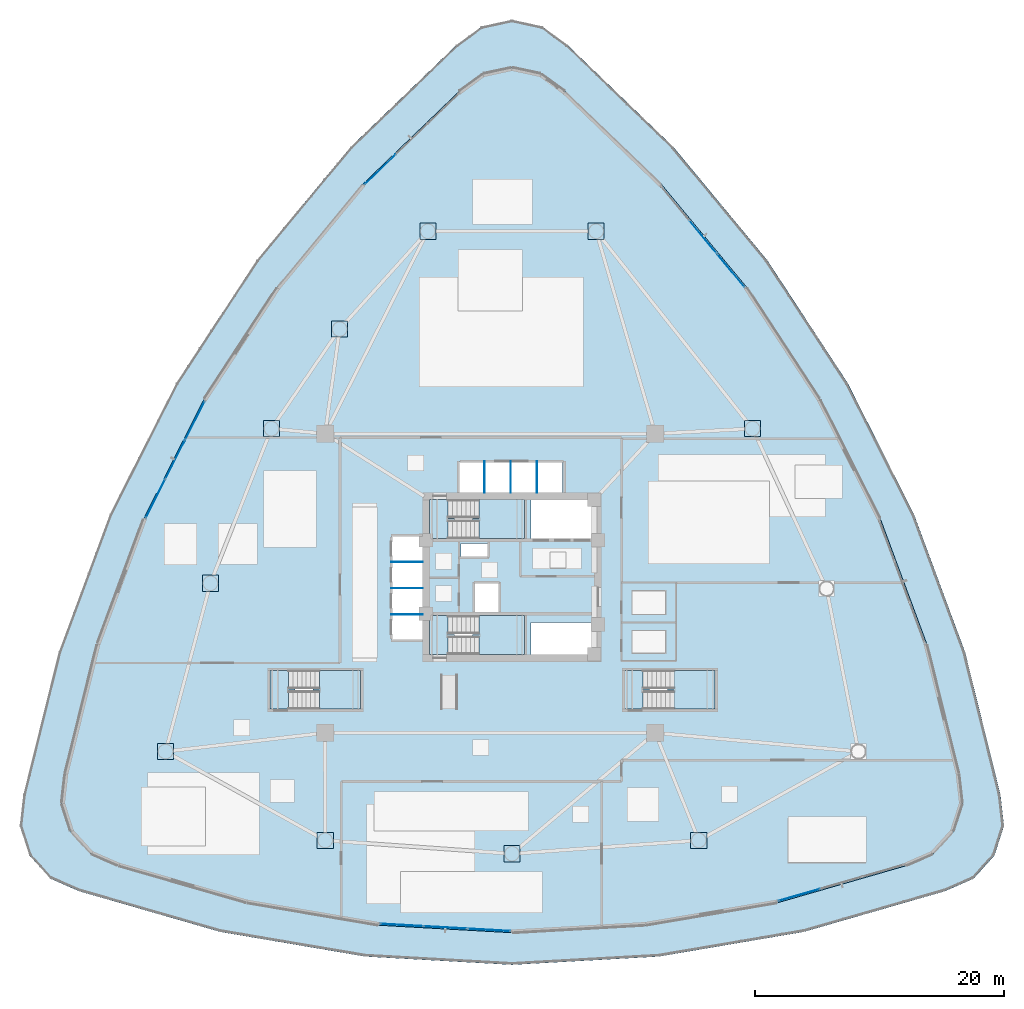
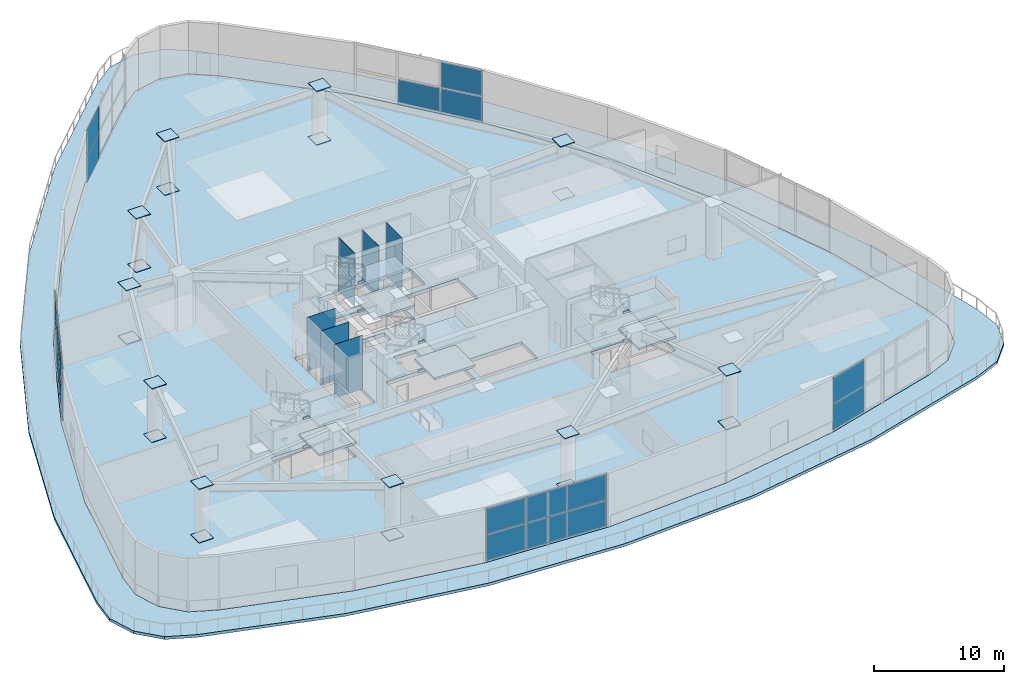
# One storey, part 11 of 25: 45 plates, 14 slabs, 9 elements without a shape of their own.
"""IFC4 building model written with IfcOpenShell, lengths in metres."""

from ifc_helpers import new_model, si_unit, direction, frame, origin, origin_2d, place, context, subcontext, project, spatial, polyline, rectangle, outline, extrude, source, transform, mapped, material, layer, layer_set, type_object, type_shapes, element, aggregate, save


model = new_model("IFC4")

# Units and contexts
model_context = context("Model", 3, precision=1e-05, world=origin(), true_north=direction((0.0, 1.0)))
body_context = subcontext(model_context, "Body", "Model", "MODEL_VIEW")
ifc_project = project(units=[si_unit("LENGTHUNIT", "METRE"), si_unit("AREAUNIT", "SQUARE_METRE"), si_unit("VOLUMEUNIT", "CUBIC_METRE"), si_unit("PLANEANGLEUNIT", "RADIAN"), si_unit("MASSUNIT", "GRAM", prefix="KILO")], contexts=[model_context])

# Site, building, storey
site_placement = place(None, origin())
site = spatial("IfcSite", under=ifc_project, at=site_placement, CompositionType="ELEMENT")
building_placement = place(site_placement, origin())
building = spatial("IfcBuilding", under=site, at=building_placement, Name="Tavelor Broadcast Tower", CompositionType="ELEMENT")
storey_placement = place(building_placement, frame((0.0, 0.0, 11.39990234375)))
storey = spatial("IfcBuildingStorey", under=building, at=storey_placement, Name="L02", CompositionType="ELEMENT", Elevation=11.39990234375)

# Slabs
ifc_material_1 = material(Name="Concrete C40/50", Category="concrete")
ifc_layer_1 = layer(ifc_material_1, 0.260009765625)
ifc_layer_set_1 = layer_set([ifc_layer_1], Name="Concrete C40/50")
slab_type_1 = type_object("IfcSlabType", Name="Cascading Planted Terrace Roof Slab 260 mm", PredefinedType="ROOF", material=ifc_layer_set_1)
slab_1_placement = place(storey_placement, frame((0.0, 0.0, -0.260009765625)))
element("IfcSlab", 1, at=slab_1_placement, inside=storey, type_object=slab_type_1, Name="L02 Cascading Planted Garden Terrace Slab 1", PredefinedType="ROOF", context=body_context, shape_type="SweptSolid", body=[
    extrude(outline(polyline([(54.463134765625, 87.684814453125), (52.448486328125, 89.1728515625), (50.0, 89.699951171875), (47.551513671875, 89.1728515625), (45.536865234375, 87.684814453125), (37.041748046875, 79.50390625), (29.516357421875, 70.423095703125), (23.055908203125, 60.55615234375), (17.7412109375, 50.02783203125), (13.639404296875, 38.97021484375), (10.80224609375, 27.522705078125), (10.52099609375, 25.033935546875), (11.288818359375, 22.64990234375), (12.969482421875, 20.793212890625), (15.265380859375, 19.79248046875), (26.597900390625, 16.525634765625), (38.224853515625, 14.54931640625), (50.0, 13.887451171875), (61.775146484375, 14.54931640625), (73.402099609375, 16.525634765625), (84.734619140625, 19.79248046875), (87.030517578125, 20.793212890625), (88.711181640625, 22.64990234375), (89.47900390625, 25.033935546875), (89.19775390625, 27.522705078125), (86.360595703125, 38.97021484375), (82.2587890625, 50.02783203125), (76.944091796875, 60.55615234375), (70.483642578125, 70.423095703125), (62.958251953125, 79.50390625), (54.463134765625, 87.684814453125)]), holes=[polyline([(54.2626953125, 83.9541015625), (61.9921875, 76.5107421875), (68.839111328125, 68.248291015625), (74.717529296875, 59.270751953125), (79.552978515625, 49.691162109375), (83.285400390625, 39.630126953125), (85.86669921875, 29.214599609375), (86.135498046875, 26.8359375), (85.402587890625, 24.560302734375), (83.79833984375, 22.78759765625), (81.60400390625, 21.831298828125), (71.29296875, 18.859130859375), (60.714111328125, 17.060791015625), (50.0, 16.45849609375), (39.285888671875, 17.060791015625), (28.70703125, 18.859130859375), (18.39599609375, 21.831298828125), (16.20166015625, 22.78759765625), (14.597412109375, 24.560302734375), (13.864501953125, 26.8359375), (14.13330078125, 29.214599609375), (16.714599609375, 39.630126953125), (20.447021484375, 49.691162109375), (25.282470703125, 59.270751953125), (31.160888671875, 68.248291015625), (38.0078125, 76.5107421875), (45.7373046875, 83.9541015625), (47.662841796875, 85.37646484375), (50.0, 85.87939453125), (52.337158203125, 85.37646484375), (54.2626953125, 83.9541015625)])]), origin(), (0.0, 0.0, 1.0), 0.260009765625),
])
ifc_layer_2 = layer(ifc_material_1, 0.35009765625)
ifc_layer_set_2 = layer_set([ifc_layer_2], Name="Concrete C40/50")
slab_type_2 = type_object("IfcSlabType", Name="Podium Structural Floor Slab 350 mm", PredefinedType="FLOOR", material=ifc_layer_set_2)
slab_2_placement = place(storey_placement, frame((0.0, 0.0, -0.349853515625)))
element("IfcSlab", 2, at=slab_2_placement, inside=storey, type_object=slab_type_2, Name="L02 Structural Floor Slab", PredefinedType="FLOOR", context=body_context, shape_type="SweptSolid", body=[
    extrude(outline(polyline([(54.275634765625, 83.969482421875), (52.345703125, 85.39501953125), (50.0, 85.89990234375), (47.654296875, 85.39501953125), (45.724365234375, 83.969482421875), (37.9931640625, 76.5244140625), (31.144775390625, 68.260009765625), (25.26513671875, 59.28076171875), (20.428466796875, 49.69921875), (16.695556640625, 39.635986328125), (14.113525390625, 29.218017578125), (13.843994140625, 26.833984375), (14.57958984375, 24.550048828125), (16.189697265625, 22.77099609375), (18.389404296875, 21.8125), (28.702392578125, 18.839599609375), (39.28369140625, 17.040771484375), (50.0, 16.438720703125), (60.71630859375, 17.040771484375), (71.297607421875, 18.839599609375), (81.610595703125, 21.8125), (83.810302734375, 22.77099609375), (85.42041015625, 24.550048828125), (86.156005859375, 26.833984375), (85.886474609375, 29.218017578125), (83.304443359375, 39.635986328125), (79.571533203125, 49.69921875), (74.73486328125, 59.28076171875), (68.855224609375, 68.260009765625), (62.0068359375, 76.5244140625), (54.275634765625, 83.969482421875)]), holes=[polyline([(37.845947265625, 34.404052734375), (32.053955078125, 34.404052734375), (32.053955078125, 37.49609375), (37.845947265625, 37.49609375), (37.845947265625, 34.404052734375)]), polyline([(66.2958984375, 34.404052734375), (60.50390625, 34.404052734375), (60.50390625, 37.49609375), (66.2958984375, 37.49609375), (66.2958984375, 34.404052734375)]), polyline([(56.60009765625, 38.800048828125), (51.52001953125, 38.800048828125), (51.52001953125, 41.35009765625), (56.60009765625, 41.35009765625), (56.60009765625, 38.800048828125)]), polyline([(44.85400390625, 38.803955078125), (44.85400390625, 41.89599609375), (50.99609375, 41.89599609375), (50.99609375, 38.803955078125), (44.85400390625, 38.803955078125)]), polyline([(47.050048828125, 44.550048828125), (48.949951171875, 44.550048828125), (48.949951171875, 42.199951171875), (47.050048828125, 42.199951171875), (47.050048828125, 44.550048828125)]), polyline([(40.35009765625, 40.0), (40.35009765625, 48.25), (42.800048828125, 48.25), (42.800048828125, 40.0), (40.35009765625, 40.0)]), polyline([(48.050048828125, 46.64990234375), (45.89990234375, 46.64990234375), (45.89990234375, 47.699951171875), (48.050048828125, 47.699951171875), (48.050048828125, 46.64990234375)]), polyline([(50.99609375, 48.10400390625), (44.85400390625, 48.10400390625), (44.85400390625, 51.196044921875), (50.99609375, 51.196044921875), (50.99609375, 48.10400390625)]), polyline([(51.52001953125, 48.10009765625), (51.52001953125, 51.199951171875), (56.60009765625, 51.199951171875), (56.60009765625, 48.10009765625), (51.52001953125, 48.10009765625)]), polyline([(45.800048828125, 51.800048828125), (45.800048828125, 54.25), (54.050048828125, 54.25), (54.050048828125, 51.800048828125), (45.800048828125, 51.800048828125)])]), origin(), (0.0, 0.0, 1.0), 0.349853515625),
])

# Stair, slabs
stair_type = type_object("IfcStairType", Name="Reinforced Concrete Protected Dogleg Stair 1450 mm", PredefinedType="HALF_TURN_STAIR", material=ifc_material_1)
stair_1_placement = place(storey_placement, origin())
stair_1 = element("IfcStair", 3, at=stair_1_placement, inside=storey, type_object=stair_type, Name="L02 Protected Core Exit Stair ST1", PredefinedType="HALF_TURN_STAIR")
ifc_layer_3 = layer(ifc_material_1, 0.199951171875)
ifc_layer_set_3 = layer_set([ifc_layer_3], Name="Concrete C40/50")
slab_type_3 = type_object("IfcSlabType", Name="Reinforced Concrete Stair Half-Landing Slab 200 mm", PredefinedType="LANDING", material=ifc_layer_set_3)
slab_3_placement = place(storey_placement, frame((0.0, 0.0, 1.150146484375)))
slab_3 = element("IfcSlab", 4, at=slab_3_placement, type_object=slab_type_3, Name="ST1 landing 1", PredefinedType="LANDING", context=body_context, shape_type="SweptSolid", body=[
    extrude(outline(polyline([(47.364990234375, 49.590087890625), (47.364990234375, 48.094970703125), (51.0048828125, 48.094970703125), (51.0048828125, 51.205078125), (47.364990234375, 51.205078125), (47.364990234375, 49.7099609375), (46.824951171875, 49.7099609375), (46.824951171875, 49.590087890625), (47.364990234375, 49.590087890625)])), origin(), (0.0, 0.0, 1.0), 0.199951171875),
])
slab_4_placement = place(storey_placement, frame((0.0, 0.0, 2.5)))
slab_4 = element("IfcSlab", 5, at=slab_4_placement, type_object=slab_type_3, Name="ST1 landing 2", PredefinedType="LANDING", context=body_context, shape_type="SweptSolid", body=[
    extrude(outline(polyline([(43.39501953125, 48.094970703125), (44.85498046875, 48.094970703125), (44.85498046875, 49.590087890625), (45.39501953125, 49.590087890625), (45.39501953125, 49.7099609375), (44.85498046875, 49.7099609375), (44.85498046875, 51.205078125), (43.39501953125, 51.205078125), (43.39501953125, 48.094970703125)])), origin(), (0.0, 0.0, 1.0), 0.2001953125),
])
slab_5_placement = place(storey_placement, frame((0.0, 0.0, 3.85009765625)))
slab_5 = element("IfcSlab", 6, at=slab_5_placement, type_object=slab_type_3, Name="ST1 landing 3", PredefinedType="LANDING", context=body_context, shape_type="SweptSolid", body=[
    extrude(outline(polyline([(47.364990234375, 49.590087890625), (47.364990234375, 48.094970703125), (51.0048828125, 48.094970703125), (51.0048828125, 51.205078125), (47.364990234375, 51.205078125), (47.364990234375, 49.7099609375), (46.824951171875, 49.7099609375), (46.824951171875, 49.590087890625), (47.364990234375, 49.590087890625)])), origin(), (0.0, 0.0, 1.0), 0.199951171875),
])
aggregate(stair_1, [slab_3, slab_4, slab_5])

stair_2_placement = place(storey_placement, origin())
stair_2 = element("IfcStair", 7, at=stair_2_placement, inside=storey, type_object=stair_type, Name="L02 Protected Core Exit Stair ST2", PredefinedType="HALF_TURN_STAIR")
slab_6_placement = place(storey_placement, frame((0.0, 0.0, 1.150146484375)))
slab_6 = element("IfcSlab", 8, at=slab_6_placement, type_object=slab_type_3, Name="ST2 landing 1", PredefinedType="LANDING", context=body_context, shape_type="SweptSolid", body=[
    extrude(outline(polyline([(47.364990234375, 40.2900390625), (47.364990234375, 38.794921875), (51.0048828125, 38.794921875), (51.0048828125, 41.905029296875), (47.364990234375, 41.905029296875), (47.364990234375, 40.409912109375), (46.824951171875, 40.409912109375), (46.824951171875, 40.2900390625), (47.364990234375, 40.2900390625)])), origin(), (0.0, 0.0, 1.0), 0.199951171875),
])
slab_7_placement = place(storey_placement, frame((0.0, 0.0, 2.5)))
slab_7 = element("IfcSlab", 9, at=slab_7_placement, type_object=slab_type_3, Name="ST2 landing 2", PredefinedType="LANDING", context=body_context, shape_type="SweptSolid", body=[
    extrude(outline(polyline([(43.39501953125, 38.794921875), (44.85498046875, 38.794921875), (44.85498046875, 40.2900390625), (45.39501953125, 40.2900390625), (45.39501953125, 40.409912109375), (44.85498046875, 40.409912109375), (44.85498046875, 41.905029296875), (43.39501953125, 41.905029296875), (43.39501953125, 38.794921875)])), origin(), (0.0, 0.0, 1.0), 0.2001953125),
])
slab_8_placement = place(storey_placement, frame((0.0, 0.0, 3.85009765625)))
slab_8 = element("IfcSlab", 10, at=slab_8_placement, type_object=slab_type_3, Name="ST2 landing 3", PredefinedType="LANDING", context=body_context, shape_type="SweptSolid", body=[
    extrude(outline(polyline([(47.364990234375, 40.2900390625), (47.364990234375, 38.794921875), (51.0048828125, 38.794921875), (51.0048828125, 41.905029296875), (47.364990234375, 41.905029296875), (47.364990234375, 40.409912109375), (46.824951171875, 40.409912109375), (46.824951171875, 40.2900390625), (47.364990234375, 40.2900390625)])), origin(), (0.0, 0.0, 1.0), 0.199951171875),
])
aggregate(stair_2, [slab_6, slab_7, slab_8])

stair_3_placement = place(storey_placement, origin())
stair_3 = element("IfcStair", 11, at=stair_3_placement, inside=storey, type_object=stair_type, Name="L02 Podium West Exit Stair ST3", PredefinedType="HALF_TURN_STAIR")
slab_9_placement = place(storey_placement, frame((0.0, 0.0, 1.150146484375)))
slab_9 = element("IfcSlab", 12, at=slab_9_placement, type_object=slab_type_3, Name="ST3 landing 1", PredefinedType="LANDING", context=body_context, shape_type="SweptSolid", body=[
    extrude(outline(polyline([(34.56494140625, 35.889892578125), (34.56494140625, 34.39501953125), (37.85498046875, 34.39501953125), (37.85498046875, 37.5048828125), (34.56494140625, 37.5048828125), (34.56494140625, 36.010009765625), (34.02490234375, 36.010009765625), (34.02490234375, 35.889892578125), (34.56494140625, 35.889892578125)])), origin(), (0.0, 0.0, 1.0), 0.199951171875),
])
slab_10_placement = place(storey_placement, frame((0.0, 0.0, 2.5)))
slab_10 = element("IfcSlab", 13, at=slab_10_placement, type_object=slab_type_3, Name="ST3 landing 2", PredefinedType="LANDING", context=body_context, shape_type="SweptSolid", body=[
    extrude(outline(polyline([(30.594970703125, 34.39501953125), (32.054931640625, 34.39501953125), (32.054931640625, 35.889892578125), (32.594970703125, 35.889892578125), (32.594970703125, 36.010009765625), (32.054931640625, 36.010009765625), (32.054931640625, 37.5048828125), (30.594970703125, 37.5048828125), (30.594970703125, 34.39501953125)])), origin(), (0.0, 0.0, 1.0), 0.2001953125),
])
slab_11_placement = place(storey_placement, frame((0.0, 0.0, 3.85009765625)))
slab_11 = element("IfcSlab", 14, at=slab_11_placement, type_object=slab_type_3, Name="ST3 landing 3", PredefinedType="LANDING", context=body_context, shape_type="SweptSolid", body=[
    extrude(outline(polyline([(34.56494140625, 35.889892578125), (34.56494140625, 34.39501953125), (37.85498046875, 34.39501953125), (37.85498046875, 37.5048828125), (34.56494140625, 37.5048828125), (34.56494140625, 36.010009765625), (34.02490234375, 36.010009765625), (34.02490234375, 35.889892578125), (34.56494140625, 35.889892578125)])), origin(), (0.0, 0.0, 1.0), 0.199951171875),
])
aggregate(stair_3, [slab_9, slab_10, slab_11])

stair_4_placement = place(storey_placement, origin())
stair_4 = element("IfcStair", 15, at=stair_4_placement, inside=storey, type_object=stair_type, Name="L02 Podium East Exit Stair ST4", PredefinedType="HALF_TURN_STAIR")
slab_12_placement = place(storey_placement, frame((0.0, 0.0, 1.150146484375)))
slab_12 = element("IfcSlab", 16, at=slab_12_placement, type_object=slab_type_3, Name="ST4 landing 1", PredefinedType="LANDING", context=body_context, shape_type="SweptSolid", body=[
    extrude(outline(polyline([(63.014892578125, 35.889892578125), (63.014892578125, 34.39501953125), (66.304931640625, 34.39501953125), (66.304931640625, 37.5048828125), (63.014892578125, 37.5048828125), (63.014892578125, 36.010009765625), (62.47509765625, 36.010009765625), (62.47509765625, 35.889892578125), (63.014892578125, 35.889892578125)])), origin(), (0.0, 0.0, 1.0), 0.199951171875),
])
slab_13_placement = place(storey_placement, frame((0.0, 0.0, 2.5)))
slab_13 = element("IfcSlab", 17, at=slab_13_placement, type_object=slab_type_3, Name="ST4 landing 2", PredefinedType="LANDING", context=body_context, shape_type="SweptSolid", body=[
    extrude(outline(polyline([(59.044921875, 34.39501953125), (60.5048828125, 34.39501953125), (60.5048828125, 35.889892578125), (61.044921875, 35.889892578125), (61.044921875, 36.010009765625), (60.5048828125, 36.010009765625), (60.5048828125, 37.5048828125), (59.044921875, 37.5048828125), (59.044921875, 34.39501953125)])), origin(), (0.0, 0.0, 1.0), 0.2001953125),
])
slab_14_placement = place(storey_placement, frame((0.0, 0.0, 3.85009765625)))
slab_14 = element("IfcSlab", 18, at=slab_14_placement, type_object=slab_type_3, Name="ST4 landing 3", PredefinedType="LANDING", context=body_context, shape_type="SweptSolid", body=[
    extrude(outline(polyline([(63.014892578125, 35.889892578125), (63.014892578125, 34.39501953125), (66.304931640625, 34.39501953125), (66.304931640625, 37.5048828125), (63.014892578125, 37.5048828125), (63.014892578125, 36.010009765625), (62.47509765625, 36.010009765625), (62.47509765625, 35.889892578125), (63.014892578125, 35.889892578125)])), origin(), (0.0, 0.0, 1.0), 0.199951171875),
])
aggregate(stair_4, [slab_12, slab_13, slab_14])

# Plates
ifc_material_2 = material(Name="Steel S460", Category="steel")
ifc_layer_4 = layer(ifc_material_2, 0.050048828125)
ifc_layer_set_4 = layer_set([ifc_layer_4], Name="Steel S460")
plate_type_1 = type_object("IfcPlateType", Name="Tube Hollow-End Cap Plate KN05 700x700x50", PredefinedType="USERDEFINED", material=ifc_layer_set_4)
shared_shape_1 = source(origin(), body_context, "Body", "SweptSolid", [
    extrude(rectangle(XDim=1.299072265625, YDim=1.299072265625, at=origin_2d()), origin(), (0.0, 0.0, 1.0), 0.054931640625),
])
type_shapes(plate_type_1, [shared_shape_1])
for number, where, z_axis, x_axis, name in (
    (19, (43.247314453125, 72.7509765625, -0.02734375), (0.0, 0.0, 1.0), (1.0, 0.0, 0.0), "L02 Hollow End Cap Plate KN05 #117"),
    (20, (43.247314453125, 72.7509765625, 5.0224609375), (0.0, 0.0, 1.0), (1.0, 0.0, 0.0), "L02 Hollow End Cap Plate KN05 #118"),
    (21, (36.170166015625, 64.893310546875, -0.02734375), (0.0, 0.0, 1.0), (1.0, 0.0, 0.0), "L02 Hollow End Cap Plate KN05 #119"),
    (22, (36.170166015625, 64.893310546875, 5.0224609375), (0.0, 0.0, 1.0), (1.0, 0.0, 0.0), "L02 Hollow End Cap Plate KN05 #120"),
    (23, (30.69921875, 56.9111328125, -0.02734375), (0.0, 0.0, 1.0), (1.0, 0.0, 0.0), "L02 Hollow End Cap Plate KN05 #121"),
    (24, (30.69921875, 56.9111328125, 5.0224609375), (0.0, 0.0, 1.0), (1.0, 0.0, 0.0), "L02 Hollow End Cap Plate KN05 #122"),
    (25, (25.800048828125, 44.5, -0.02734375), (0.0, 0.0, 1.0), (1.0, 0.0, 0.0), "L02 Hollow End Cap Plate KN05 #123"),
    (26, (25.800048828125, 44.5, 5.0224609375), (0.0, 0.0, 1.0), (1.0, 0.0, 0.0), "L02 Hollow End Cap Plate KN05 #124"),
    (27, (22.199951171875, 31.0, -0.02734375), (0.0, 0.0, 1.0), (1.0, 0.0, 0.0), "L02 Hollow End Cap Plate KN05 #125"),
    (28, (22.199951171875, 31.0, 5.0224609375), (0.0, 0.0, 1.0), (1.0, 0.0, 0.0), "L02 Hollow End Cap Plate KN05 #126"),
    (29, (35.01220703125, 23.87109375, -0.02734375), (0.0, 0.0, 1.0), (1.0, 0.0, 0.0), "L02 Hollow End Cap Plate KN05 #127"),
    (30, (35.01220703125, 23.87109375, 5.0224609375), (0.0, 0.0, 1.0), (1.0, 0.0, 0.0), "L02 Hollow End Cap Plate KN05 #128"),
    (31, (50.0, 22.800048828125, -0.02734375), (0.0, 0.0, 1.0), (1.0, 0.0, 0.0), "L02 Hollow End Cap Plate KN05 #129"),
    (32, (50.0, 22.800048828125, 5.0224609375), (0.0, 0.0, 1.0), (1.0, 0.0, 0.0), "L02 Hollow End Cap Plate KN05 #130"),
    (33, (64.98779296875, 23.87109375, -0.02734375), (0.0, 0.0, 1.0), (1.0, 0.0, 0.0), "L02 Hollow End Cap Plate KN05 #131"),
    (34, (64.98779296875, 23.87109375, 5.0224609375), (0.0, 0.0, 1.0), (1.0, 0.0, 0.0), "L02 Hollow End Cap Plate KN05 #132"),
    (35, (69.30078125, 56.9111328125, -0.02734375), (0.0, 0.0, 1.0), (1.0, 0.0, 0.0), "L02 Hollow End Cap Plate KN05 #137"),
    (36, (69.30078125, 56.9111328125, 5.0224609375), (0.0, 0.0, 1.0), (1.0, 0.0, 0.0), "L02 Hollow End Cap Plate KN05 #138"),
    (37, (56.752685546875, 72.7509765625, -0.02734375), (0.0, 0.0, 1.0), (1.0, 0.0, 0.0), "L02 Hollow End Cap Plate KN05 #139"),
    (38, (56.752685546875, 72.7509765625, 5.0224609375), (0.0, 0.0, 1.0), (1.0, 0.0, 0.0), "L02 Hollow End Cap Plate KN05 #140"),
):
    element("IfcPlate", number, at=place(storey_placement, frame(where, z_axis=z_axis, x_axis=x_axis)), inside=storey, type_object=plate_type_1, Name=name, ObjectType="CAP PLATE", PredefinedType="USERDEFINED", context=body_context, shape_type="MappedRepresentation", body=[
        mapped(shared_shape_1, transform((0.0, 0.0, 0.0), scale=1.0)),
    ])
ifc_material_3 = material(Name="Steel S355", Category="steel")
ifc_layer_5 = layer(ifc_material_3, 0.011962890625)
ifc_layer_set_5 = layer_set([ifc_layer_5], Name="Steel S355")
plate_type_2 = type_object("IfcPlateType", Name="Hoistway Steel Separator Screen 12 mm", PredefinedType="SHEET", material=ifc_layer_set_5)
shared_shape_2 = source(origin(), body_context, "Body", "SweptSolid", [
    extrude(rectangle(XDim=2.52001953125, YDim=0.02001953125, at=origin_2d()), origin(), (0.0, 0.0, 1.0), 5.050048828125),
])
for number, where, z_axis, x_axis, name in (
    (39, (41.56005859375, 42.0, 0.0), (0.0, 0.0, 1.0), (1.0, 0.0, 0.0), "L02 Low-Rise Hoistway Separator Screen 1"),
    (40, (41.56005859375, 44.10009765625, 0.0), (0.0, 0.0, 1.0), (1.0, 0.0, 0.0), "L02 Low-Rise Hoistway Separator Screen 2"),
    (41, (41.56005859375, 46.199951171875, 0.0), (0.0, 0.0, 1.0), (1.0, 0.0, 0.0), "L02 Low-Rise Hoistway Separator Screen 3"),
):
    element("IfcPlate", number, at=place(storey_placement, frame(where, z_axis=z_axis, x_axis=x_axis)), inside=storey, type_object=plate_type_2, Name=name, PredefinedType="SHEET", context=body_context, shape_type="MappedRepresentation", body=[
        mapped(shared_shape_2, transform((0.0, 0.0, 0.0), scale=1.0)),
    ])
shared_shape_3 = source(origin(), body_context, "Body", "SweptSolid", [
    extrude(rectangle(XDim=0.02001953125, YDim=2.52001953125, at=origin_2d()), origin(), (0.0, 0.0, 1.0), 5.050048828125),
])
type_shapes(plate_type_2, [shared_shape_2, shared_shape_3])
for number, where, z_axis, x_axis, name in (
    (42, (47.800048828125, 53.0400390625, 0.0), (0.0, 0.0, 1.0), (1.0, 0.0, 0.0), "L02 High-Rise Hoistway Separator Screen 1"),
    (43, (49.89990234375, 53.0400390625, 0.0), (0.0, 0.0, 1.0), (1.0, 0.0, 0.0), "L02 High-Rise Hoistway Separator Screen 2"),
    (44, (52.0, 53.0400390625, 0.0), (0.0, 0.0, 1.0), (1.0, 0.0, 0.0), "L02 High-Rise Hoistway Separator Screen 3"),
):
    element("IfcPlate", number, at=place(storey_placement, frame(where, z_axis=z_axis, x_axis=x_axis)), inside=storey, type_object=plate_type_2, Name=name, PredefinedType="SHEET", context=body_context, shape_type="MappedRepresentation", body=[
        mapped(shared_shape_3, transform((0.0, 0.0, 0.0), scale=1.0)),
    ])

# Curtain wall, plates
ifc_material_4 = material(Name="Architectural Anodized Aluminium", Category="aluminium")
ifc_layer_6 = layer(ifc_material_4, 0.219970703125)
ifc_layer_set_6 = layer_set([ifc_layer_6], Name="Architectural Anodized Aluminium")
curtain_wall_type = type_object("IfcCurtainWallType", Name="Podium Double-Height Broadcast Curtain Wall CW01", PredefinedType="NOTDEFINED", material=ifc_layer_set_6)
curtain_wall_1_placement = place(storey_placement, origin())
curtain_wall_1 = element("IfcCurtainWall", 45, at=curtain_wall_1_placement, inside=storey, type_object=curtain_wall_type, Name="L02 Curtain Wall CW01 Run 7", PredefinedType="NOTDEFINED")
ifc_material_5 = material(Name="Solar Low-E Laminated Glazing 32 mm", Category="glass")
ifc_layer_7 = layer(ifc_material_5, 0.031982421875)
ifc_layer_set_7 = layer_set([ifc_layer_7], Name="Solar Low-E Laminated Glazing 32 mm")
plate_type_3 = type_object("IfcPlateType", Name="CW01 Insulated Vision Glazing Panel 32 mm", PredefinedType="CURTAIN_PANEL", material=ifc_layer_set_7)
shared_shape_4 = source(origin(), body_context, "Body", "SweptSolid", [
    extrude(rectangle(XDim=3.40625, YDim=0.031982421875, at=origin_2d()), origin(), (0.0, 0.0, 1.0), 2.41259765625),
])
plate_1_placement = place(storey_placement, frame((39.434326171875, 77.7177734375, 0.074951171875), z_axis=(0.0, 0.0, 1.0), x_axis=(-0.72030987048, -0.693652427725, 0.0)))
plate_1 = element("IfcPlate", 46, at=plate_1_placement, type_object=plate_type_3, Name="CW01 panel 3.1", PredefinedType="CURTAIN_PANEL", context=body_context, shape_type="MappedRepresentation", body=[
    mapped(shared_shape_4, transform((0.0, 0.0, 0.0), scale=1.0)),
])
plate_2_placement = place(storey_placement, frame((39.434326171875, 77.7177734375, 2.5625), z_axis=(0.0, 0.0, 1.0), x_axis=(-0.72030987048, -0.693652427725, 0.0)))
plate_2 = element("IfcPlate", 47, at=plate_2_placement, type_object=plate_type_3, Name="CW01 panel 3.2", PredefinedType="CURTAIN_PANEL", context=body_context, shape_type="MappedRepresentation", body=[
    mapped(shared_shape_4, transform((0.0, 0.0, 0.0), scale=1.0)),
])
aggregate(curtain_wall_1, [plate_1, plate_2])

curtain_wall_2_placement = place(storey_placement, origin())
curtain_wall_2 = element("IfcCurtainWall", 48, at=curtain_wall_2_placement, inside=storey, type_object=curtain_wall_type, Name="L02 Curtain Wall CW01 Run 10", PredefinedType="NOTDEFINED")
plate_3_placement = place(storey_placement, frame((73.0517578125, 19.490966796875, 0.074951171875), z_axis=(0.0, 0.0, 1.0), x_axis=(0.960876405669, 0.276977495528, 0.0)))
plate_3 = element("IfcPlate", 49, at=plate_3_placement, type_object=plate_type_3, Name="CW01 panel 1.1", PredefinedType="CURTAIN_PANEL", context=body_context, shape_type="MappedRepresentation", body=[
    mapped(shared_shape_4, transform((0.0, 0.0, 0.0), scale=1.0)),
])
plate_4_placement = place(storey_placement, frame((73.0517578125, 19.490966796875, 2.5625), z_axis=(0.0, 0.0, 1.0), x_axis=(0.960876405669, 0.276977495528, 0.0)))
plate_4 = element("IfcPlate", 50, at=plate_4_placement, type_object=plate_type_3, Name="CW01 panel 1.2", PredefinedType="CURTAIN_PANEL", context=body_context, shape_type="MappedRepresentation", body=[
    mapped(shared_shape_4, transform((0.0, 0.0, 0.0), scale=1.0)),
])
aggregate(curtain_wall_2, [plate_3, plate_4])

curtain_wall_3_placement = place(storey_placement, origin())
curtain_wall_3 = element("IfcCurtainWall", 51, at=curtain_wall_3_placement, inside=storey, type_object=curtain_wall_type, Name="L02 Curtain Wall CW01 Run 8", PredefinedType="NOTDEFINED")
shared_shape_5 = source(origin(), body_context, "Body", "SweptSolid", [
    extrude(rectangle(XDim=3.40673828125, YDim=0.031982421875, at=origin_2d()), origin(), (0.0, 0.0, 1.0), 2.41259765625),
])
plate_5_placement = place(storey_placement, frame((24.549072265625, 57.5517578125, 0.074951171875), z_axis=(0.0, 0.0, 1.0), x_axis=(-0.450624070819, -0.892713810131, 0.0)))
plate_5 = element("IfcPlate", 52, at=plate_5_placement, type_object=plate_type_3, Name="CW01 panel 1.1", PredefinedType="CURTAIN_PANEL", context=body_context, shape_type="MappedRepresentation", body=[
    mapped(shared_shape_5, transform((0.0, 0.0, 0.0), scale=1.0)),
])
plate_6_placement = place(storey_placement, frame((24.549072265625, 57.5517578125, 2.5625), z_axis=(0.0, 0.0, 1.0), x_axis=(-0.450624070819, -0.892713810131, 0.0)))
plate_6 = element("IfcPlate", 53, at=plate_6_placement, type_object=plate_type_3, Name="CW01 panel 1.2", PredefinedType="CURTAIN_PANEL", context=body_context, shape_type="MappedRepresentation", body=[
    mapped(shared_shape_5, transform((0.0, 0.0, 0.0), scale=1.0)),
])
plate_7_placement = place(storey_placement, frame((21.39453125, 51.302001953125, 0.074951171875), z_axis=(0.0, 0.0, 1.0), x_axis=(-0.450624070819, -0.892713810131, 0.0)))
plate_7 = element("IfcPlate", 54, at=plate_7_placement, type_object=plate_type_3, Name="CW01 panel 3.1", PredefinedType="CURTAIN_PANEL", context=body_context, shape_type="MappedRepresentation", body=[
    mapped(shared_shape_5, transform((0.0, 0.0, 0.0), scale=1.0)),
])
plate_8_placement = place(storey_placement, frame((21.39453125, 51.302001953125, 2.5625), z_axis=(0.0, 0.0, 1.0), x_axis=(-0.450624070819, -0.892713810131, 0.0)))
plate_8 = element("IfcPlate", 55, at=plate_8_placement, type_object=plate_type_3, Name="CW01 panel 3.2", PredefinedType="CURTAIN_PANEL", context=body_context, shape_type="MappedRepresentation", body=[
    mapped(shared_shape_5, transform((0.0, 0.0, 0.0), scale=1.0)),
])

curtain_wall_4_placement = place(storey_placement, origin())
curtain_wall_4 = element("IfcCurtainWall", 56, at=curtain_wall_4_placement, inside=storey, type_object=curtain_wall_type, Name="L02 Curtain Wall CW01 Run 12", PredefinedType="NOTDEFINED")
plate_9_placement = place(storey_placement, frame((67.556640625, 69.607666015625, 0.074951171875), z_axis=(0.0, 0.0, 1.0), x_axis=(-0.638065200833, 0.769982337126, 0.0)))
plate_9 = element("IfcPlate", 57, at=plate_9_placement, type_object=plate_type_3, Name="CW01 panel 1.1", PredefinedType="CURTAIN_PANEL", context=body_context, shape_type="MappedRepresentation", body=[
    mapped(shared_shape_5, transform((0.0, 0.0, 0.0), scale=1.0)),
])
plate_10_placement = place(storey_placement, frame((67.556640625, 69.607666015625, 2.5625), z_axis=(0.0, 0.0, 1.0), x_axis=(-0.638065200833, 0.769982337126, 0.0)))
plate_10 = element("IfcPlate", 58, at=plate_10_placement, type_object=plate_type_3, Name="CW01 panel 1.2", PredefinedType="CURTAIN_PANEL", context=body_context, shape_type="MappedRepresentation", body=[
    mapped(shared_shape_5, transform((0.0, 0.0, 0.0), scale=1.0)),
])

# Plate
shared_shape_6 = source(origin(), body_context, "Body", "SweptSolid", [
    extrude(rectangle(XDim=3.444091796875, YDim=0.031982421875, at=origin_2d()), origin(), (0.0, 0.0, 1.0), 2.41259765625),
])
plate_11_placement = place(storey_placement, frame((22.9716796875, 54.4267578125, 0.074951171875), z_axis=(0.0, 0.0, 1.0), x_axis=(-0.450624070819, -0.892713810131, 0.0)))
plate_11 = element("IfcPlate", 59, at=plate_11_placement, type_object=plate_type_3, Name="CW01 panel 2.1", PredefinedType="CURTAIN_PANEL", context=body_context, shape_type="MappedRepresentation", body=[
    mapped(shared_shape_6, transform((0.0, 0.0, 0.0), scale=1.0)),
])

plate_12_placement = place(storey_placement, frame((22.9716796875, 54.4267578125, 2.5625), z_axis=(0.0, 0.0, 1.0), x_axis=(-0.450624070819, -0.892713810131, 0.0)))
plate_12 = element("IfcPlate", 60, at=plate_12_placement, type_object=plate_type_3, Name="CW01 panel 2.2", PredefinedType="CURTAIN_PANEL", context=body_context, shape_type="MappedRepresentation", body=[
    mapped(shared_shape_6, transform((0.0, 0.0, 0.0), scale=1.0)),
])

aggregate(curtain_wall_3, [plate_5, plate_6, plate_11, plate_12, plate_7, plate_8])

# Curtain wall, plates
curtain_wall_5_placement = place(storey_placement, origin())
curtain_wall_5 = element("IfcCurtainWall", 61, at=curtain_wall_5_placement, inside=storey, type_object=curtain_wall_type, Name="L02 Curtain Wall CW01 Run 9", PredefinedType="NOTDEFINED")
plate_13_placement = place(storey_placement, frame((44.649658203125, 16.87939453125, 0.074951171875), z_axis=(0.0, 0.0, 1.0), x_axis=(0.998424974525, -0.056103210648, 0.0)))
plate_13 = element("IfcPlate", 62, at=plate_13_placement, type_object=plate_type_3, Name="CW01 panel 2.1", PredefinedType="CURTAIN_PANEL", context=body_context, shape_type="MappedRepresentation", body=[
    mapped(shared_shape_6, transform((0.0, 0.0, 0.0), scale=1.0)),
])
plate_14_placement = place(storey_placement, frame((44.649658203125, 16.87939453125, 2.5625), z_axis=(0.0, 0.0, 1.0), x_axis=(0.998424974525, -0.056103210648, 0.0)))
plate_14 = element("IfcPlate", 63, at=plate_14_placement, type_object=plate_type_3, Name="CW01 panel 2.2", PredefinedType="CURTAIN_PANEL", context=body_context, shape_type="MappedRepresentation", body=[
    mapped(shared_shape_6, transform((0.0, 0.0, 0.0), scale=1.0)),
])

# Plate
plate_15_placement = place(storey_placement, frame((65.3232421875, 72.302978515625, 0.074951171875), z_axis=(0.0, 0.0, 1.0), x_axis=(-0.638065200833, 0.769982337126, 0.0)))
plate_15 = element("IfcPlate", 64, at=plate_15_placement, type_object=plate_type_3, Name="CW01 panel 2.1", PredefinedType="CURTAIN_PANEL", context=body_context, shape_type="MappedRepresentation", body=[
    mapped(shared_shape_6, transform((0.0, 0.0, 0.0), scale=1.0)),
])

aggregate(curtain_wall_4, [plate_9, plate_10, plate_15])

shared_shape_7 = source(origin(), body_context, "Body", "SweptSolid", [
    extrude(rectangle(XDim=3.406494140625, YDim=0.031982421875, at=origin_2d()), origin(), (0.0, 0.0, 1.0), 2.41259765625),
])
type_shapes(plate_type_3, [shared_shape_4, shared_shape_5, shared_shape_6, shared_shape_7])
plate_16_placement = place(storey_placement, frame((41.15478515625, 17.075927734375, 0.074951171875), z_axis=(0.0, 0.0, 1.0), x_axis=(0.998424974525, -0.056103210648, 0.0)))
plate_16 = element("IfcPlate", 65, at=plate_16_placement, type_object=plate_type_3, Name="CW01 panel 1.1", PredefinedType="CURTAIN_PANEL", context=body_context, shape_type="MappedRepresentation", body=[
    mapped(shared_shape_7, transform((0.0, 0.0, 0.0), scale=1.0)),
])

plate_17_placement = place(storey_placement, frame((41.15478515625, 17.075927734375, 2.5625), z_axis=(0.0, 0.0, 1.0), x_axis=(0.998424974525, -0.056103210648, 0.0)))
plate_17 = element("IfcPlate", 66, at=plate_17_placement, type_object=plate_type_3, Name="CW01 panel 1.2", PredefinedType="CURTAIN_PANEL", context=body_context, shape_type="MappedRepresentation", body=[
    mapped(shared_shape_7, transform((0.0, 0.0, 0.0), scale=1.0)),
])

plate_18_placement = place(storey_placement, frame((48.14453125, 16.68310546875, 0.074951171875), z_axis=(0.0, 0.0, 1.0), x_axis=(0.998424974525, -0.056103210648, 0.0)))
plate_18 = element("IfcPlate", 67, at=plate_18_placement, type_object=plate_type_3, Name="CW01 panel 3.1", PredefinedType="CURTAIN_PANEL", context=body_context, shape_type="MappedRepresentation", body=[
    mapped(shared_shape_7, transform((0.0, 0.0, 0.0), scale=1.0)),
])

plate_19_placement = place(storey_placement, frame((48.14453125, 16.68310546875, 2.5625), z_axis=(0.0, 0.0, 1.0), x_axis=(0.998424974525, -0.056103210648, 0.0)))
plate_19 = element("IfcPlate", 68, at=plate_19_placement, type_object=plate_type_3, Name="CW01 panel 3.2", PredefinedType="CURTAIN_PANEL", context=body_context, shape_type="MappedRepresentation", body=[
    mapped(shared_shape_7, transform((0.0, 0.0, 0.0), scale=1.0)),
])

aggregate(curtain_wall_5, [plate_16, plate_17, plate_13, plate_14, plate_18, plate_19])

save(model, "model.ifc")
